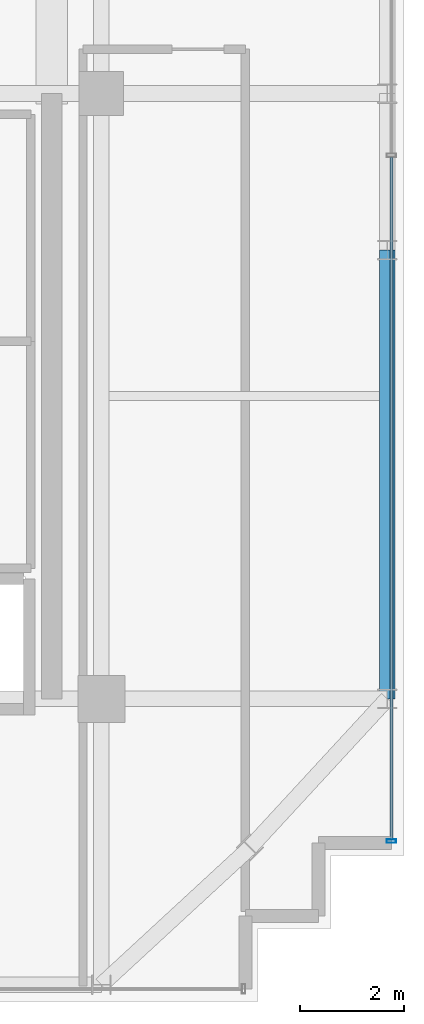
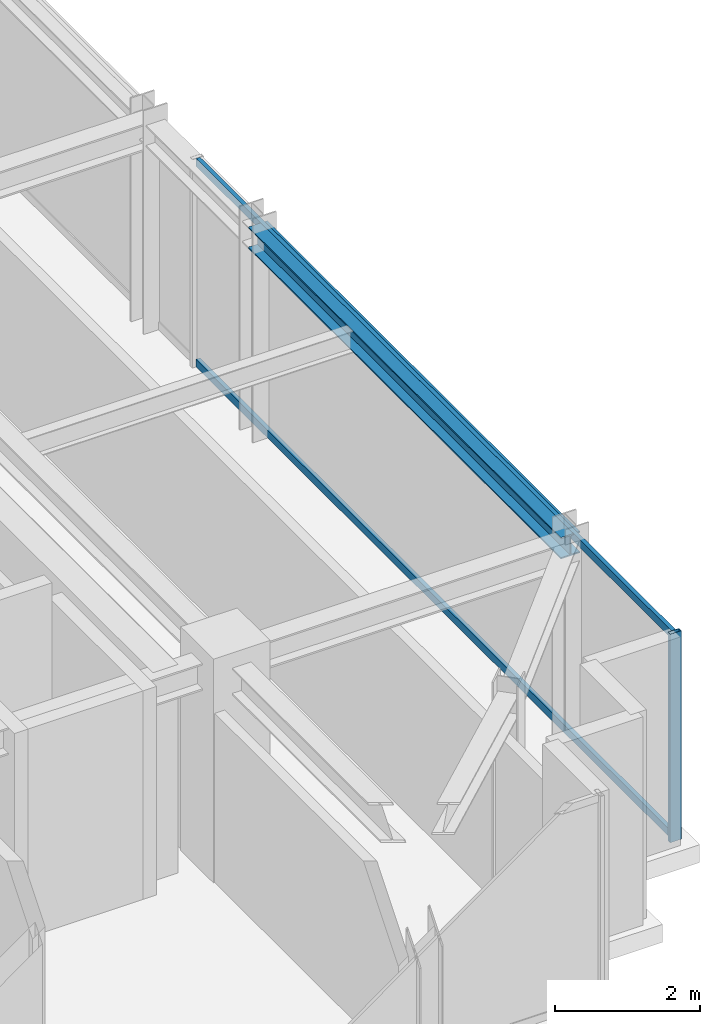
# One storey, part 14 of 31: 3 members, 1 beam, 1 element without a shape of its own.
"""IFC4 building model written with IfcOpenShell, lengths in metres."""

import ifcopenshell
import ifcopenshell.guid

model = None  # the IFC model being written
_history = None  # IfcOwnerHistory: only IFC2X3 demands one
_inside = {}  # id of a spatial element -> (the spatial element, [elements in it])
_under = {}  # id of a project, library or spatial element -> (it, [spatial elements below it])
_declared = {}  # id of a project -> (the project, [libraries it declares])
_typed = {}  # id of a type object -> (the type object, [elements of that type])
_made_of = {}  # id of a material, layer set ... -> (it, [elements and type objects made of it])


def new_model(schema):
    """Start an empty IFC model of exactly this schema.

    Asked for "IFC4X3", IfcOpenShell would pick the latest addendum, in which some entities
    have other attributes; the version numbers below select the first issue.
    IFC2X3 requires an IfcOwnerHistory on every rooted entity: one is made here for all.
    """
    global model, _history
    if schema == "IFC4X3":
        model = ifcopenshell.file(schema_version=(4, 3, 0, 0))
    else:
        model = ifcopenshell.file(schema=schema)
    _inside.clear()
    _under.clear()
    _declared.clear()
    _typed.clear()
    _made_of.clear()
    _history = None
    if model.schema == "IFC2X3":
        org = make("IfcOrganization", Name="unknown")
        user = make(
            "IfcPersonAndOrganization",
            ThePerson=make("IfcPerson", FamilyName="unknown"),
            TheOrganization=org,
        )
        app = make(
            "IfcApplication",
            ApplicationDeveloper=org,
            Version="unknown",
            ApplicationFullName="unknown",
            ApplicationIdentifier="unknown",
        )
        _history = make(
            "IfcOwnerHistory",
            OwningUser=user,
            OwningApplication=app,
            ChangeAction="ADDED",
            CreationDate=0,
        )
    return model


def make(cls, **values):
    """One entity of the class cls with the attributes given. An attribute that is None is left unset."""
    return model.create_entity(
        cls, **{name: value for name, value in values.items() if value is not None}
    )


def rooted(cls, **values):
    """An entity with a GlobalId (a new one), such as an element, a storey or a relation."""
    return make(cls, GlobalId=ifcopenshell.guid.new(), OwnerHistory=_history, **values)


def si_unit(unit_type, name, prefix=None):
    """IfcSIUnit, for example si_unit("LENGTHUNIT", "METRE", prefix="MILLI")."""
    return make("IfcSIUnit", UnitType=unit_type, Prefix=prefix, Name=name)


def assignment(units):
    """IfcUnitAssignment: the units of a project."""
    return None if units is None else make("IfcUnitAssignment", Units=units)


def point(xyz):
    """IfcCartesianPoint."""
    return None if xyz is None else make("IfcCartesianPoint", Coordinates=xyz)


def direction(xyz):
    """IfcDirection."""
    return None if xyz is None else make("IfcDirection", DirectionRatios=xyz)


def frame(location, z_axis=None, x_axis=None):
    """IfcAxis2Placement3D, a coordinate frame: its origin and axes. An axis left out is left unset."""
    return make(
        "IfcAxis2Placement3D",
        Location=point(location),
        Axis=direction(z_axis),
        RefDirection=direction(x_axis),
    )


def frame_2d(location, x_axis=None):
    """IfcAxis2Placement2D, a coordinate frame in the plane: its origin and x axis."""
    return make(
        "IfcAxis2Placement2D", Location=point(location), RefDirection=direction(x_axis)
    )


def origin():
    """The frame at (0, 0, 0) with its axes left unset."""
    return frame((0.0, 0.0, 0.0))


def origin_2d():
    """The frame at (0, 0) in the plane with its x axis left unset."""
    return frame_2d((0.0, 0.0))


def place(relative_to, where):
    """IfcLocalPlacement: puts the frame where relative to a parent placement (None: the world)."""
    return make(
        "IfcLocalPlacement", PlacementRelTo=relative_to, RelativePlacement=where
    )


def context(
    kind, dimensions, precision=None, world=None, true_north=None, identifier=None
):
    """IfcGeometricRepresentationContext, for example the 3D "Model" context."""
    return make(
        "IfcGeometricRepresentationContext",
        ContextIdentifier=identifier,
        ContextType=kind,
        CoordinateSpaceDimension=dimensions,
        Precision=precision,
        WorldCoordinateSystem=world,
        TrueNorth=true_north,
    )


def subcontext(parent, identifier, kind, view, scale=None):
    """IfcGeometricRepresentationSubContext, for example "Body" below "Model"."""
    return make(
        "IfcGeometricRepresentationSubContext",
        ContextIdentifier=identifier,
        ContextType=kind,
        ParentContext=parent,
        TargetScale=scale,
        TargetView=view,
    )


def project(units=None, contexts=None):
    """IfcProject with its units and contexts."""
    return rooted(
        "IfcProject",
        Name="project",
        RepresentationContexts=contexts,
        UnitsInContext=assignment(units),
    )


def spatial(cls, under=None, at=None, **own):
    """A site, building, storey or space (cls), placed at a placement, below another one or the project."""
    s = rooted(cls, ObjectPlacement=at, **own)
    if under is not None:
        _under.setdefault(under.id(), (under, []))[1].append(s)
    return s


def profile(cls, at=None, kind="AREA", **sizes):
    """A parametric profile (cls). Its sizes go by their IFC names, for example OverallWidth=200.0."""
    return make(cls, ProfileType=kind, Position=at, **sizes)


def hollow_rectangle(**sizes):
    """IfcRectangleHollowProfileDef."""
    return profile("IfcRectangleHollowProfileDef", **sizes)


def i_section(**sizes):
    """IfcIShapeProfileDef."""
    return profile("IfcIShapeProfileDef", **sizes)


def extrude(swept, where, along, depth):
    """IfcExtrudedAreaSolid: the profile swept, set in the frame where, extruded along a direction by depth."""
    return make(
        "IfcExtrudedAreaSolid",
        SweptArea=swept,
        Position=where,
        ExtrudedDirection=direction(along),
        Depth=depth,
    )


def shape(context_of_items, identifier, shape_type, items):
    """IfcShapeRepresentation: the items that make up one representation, for example the "Body"."""
    return make(
        "IfcShapeRepresentation",
        ContextOfItems=context_of_items,
        RepresentationIdentifier=identifier,
        RepresentationType=shape_type,
        Items=items,
    )


def source(mapping_origin, context_of_items, identifier, shape_type, items):
    """IfcRepresentationMap: a shape defined once, which mapped items show again and again."""
    return make(
        "IfcRepresentationMap",
        MappingOrigin=mapping_origin,
        MappedRepresentation=shape(context_of_items, identifier, shape_type, items),
    )


def transform(
    local_origin,
    x_axis=None,
    y_axis=None,
    z_axis=None,
    scale=None,
    scale2=None,
    scale3=None,
    uniform=True,
):
    """IfcCartesianTransformationOperator3D, or its non-uniform kind. x_axis, y_axis, z_axis: its Axis1, 2, 3."""
    if uniform:
        return make(
            "IfcCartesianTransformationOperator3D",
            Axis1=direction(x_axis),
            Axis2=direction(y_axis),
            LocalOrigin=point(local_origin),
            Scale=scale,
            Axis3=direction(z_axis),
        )
    return make(
        "IfcCartesianTransformationOperator3DnonUniform",
        Axis1=direction(x_axis),
        Axis2=direction(y_axis),
        LocalOrigin=point(local_origin),
        Scale=scale,
        Axis3=direction(z_axis),
        Scale2=scale2,
        Scale3=scale3,
    )


def mapped(mapping_source, mapping_target):
    """IfcMappedItem: shows the shape of a source again, moved by a transform."""
    return make(
        "IfcMappedItem", MappingSource=mapping_source, MappingTarget=mapping_target
    )


def material(Name=None, Category=None):
    """IfcMaterial."""
    return make("IfcMaterial", Name=Name, Category=Category)


def material_profile(
    of_material, cross_section, Name=None, Category=None, Priority=None
):
    """IfcMaterialProfile: a cross section and its material."""
    return make(
        "IfcMaterialProfile",
        Name=Name,
        Material=of_material,
        Profile=cross_section,
        Priority=Priority,
        Category=Category,
    )


def profile_set(profiles, Name=None, composite=None):
    """IfcMaterialProfileSet."""
    return make(
        "IfcMaterialProfileSet",
        Name=Name,
        MaterialProfiles=profiles,
        CompositeProfile=composite,
    )


def made_of(thing, what):
    """Note that an element or type object is made of a material, layer set ...; save() writes the relation."""
    if what is not None:
        _made_of.setdefault(what.id(), (what, []))[1].append(thing)
    return thing


def type_object(cls, material=None, **own):
    """A type object (cls), such as IfcWallType, which elements share."""
    return made_of(rooted(cls, **own), material)


def element(
    cls,
    number,
    at=None,
    inside=None,
    cuts=None,
    type_object=None,
    material=None,
    context=None,
    identifier="Body",
    shape_type=None,
    held_by="IfcProductDefinitionShape",
    body=None,
    shapes=None,
    **own,
):
    """One element of the class cls, such as IfcWall. Its Tag is "e" and its number.

    at: its placement. inside: the storey or other place that contains it. cuts: it is an
    opening in that element (IfcRelVoidsElement). A single representation is given by context,
    identifier, shape_type and body (its items); several are given by shapes. held_by: the class
    of the entity that holds the representations. save() writes the other relations.
    """
    e = rooted(cls, Tag="e%d" % number, ObjectPlacement=at, **own)
    if body is not None:
        shapes = [shape(context, identifier, shape_type, body)]
    if shapes is not None:
        e.Representation = make(held_by, Representations=shapes)
    if inside is not None:
        _inside.setdefault(inside.id(), (inside, []))[1].append(e)
    if cuts is not None:
        rooted(
            "IfcRelVoidsElement", RelatingBuildingElement=cuts, RelatedOpeningElement=e
        )
    if type_object is not None:
        _typed.setdefault(type_object.id(), (type_object, []))[1].append(e)
    return made_of(e, material)


def aggregate(whole, parts):
    """IfcRelAggregates: a whole, such as a stair, and the parts it consists of."""
    return rooted("IfcRelAggregates", RelatingObject=whole, RelatedObjects=parts)


def save(model, path):
    """Write the relations noted so far, then the file.

    IfcRelAggregates (storeys below a building ...), IfcRelContainedInSpatialStructure (elements
    in a storey), IfcRelDefinesByType, IfcRelAssociatesMaterial and IfcRelDeclares: one each for
    every whole, place, type object, material and project.
    """
    for whole, parts in _under.values():
        aggregate(whole, parts)
    for where, things in _inside.values():
        rooted(
            "IfcRelContainedInSpatialStructure",
            RelatedElements=things,
            RelatingStructure=where,
        )
    for kind, things in _typed.values():
        rooted("IfcRelDefinesByType", RelatedObjects=things, RelatingType=kind)
    for what, things in _made_of.values():
        rooted("IfcRelAssociatesMaterial", RelatedObjects=things, RelatingMaterial=what)
    for by, libraries in _declared.values():
        rooted("IfcRelDeclares", RelatingContext=by, RelatedDefinitions=libraries)
    model.write(path)


model = new_model("IFC4")

# Units and contexts
model_context = context("Model", 3, precision=1e-05, world=origin(), true_north=direction((0.0, 1.0)))
body_context = subcontext(model_context, "Body", "Model", "MODEL_VIEW")
ifc_project = project(units=[si_unit("LENGTHUNIT", "METRE"), si_unit("AREAUNIT", "SQUARE_METRE"), si_unit("VOLUMEUNIT", "CUBIC_METRE"), si_unit("PLANEANGLEUNIT", "RADIAN"), si_unit("MASSUNIT", "GRAM", prefix="KILO")], contexts=[model_context])

# Site, building, storey
site_placement = place(None, origin())
site = spatial("IfcSite", under=ifc_project, at=site_placement, CompositionType="ELEMENT")
building_placement = place(site_placement, origin())
building = spatial("IfcBuilding", under=site, at=building_placement, Name="Nahalor Promenade Grand Hotel", CompositionType="ELEMENT")
storey_placement = place(building_placement, frame((0.0, 0.0, 323.35009765625)))
storey = spatial("IfcBuildingStorey", under=building, at=storey_placement, Name="L83", CompositionType="ELEMENT", Elevation=323.35009765625)

# Beam
ifc_material_1 = material(Name="Steel S355JR", Category="steel")
ifc_material_profile_1 = material_profile(ifc_material_1, i_section(OverallWidth=0.3, OverallDepth=0.36, WebThickness=0.0125, FlangeThickness=0.0225, at=origin_2d()), Name="HEB 360")
ifc_profile_set_1 = profile_set([ifc_material_profile_1], Name="Steel S355JR")
beam_type = type_object("IfcBeamType", Name="Beam-Spandrel-HEB360", PredefinedType="SPANDREL", material=ifc_profile_set_1)
shared_shape_1 = source(origin(), body_context, "Body", "SweptSolid", [
    extrude(i_section(OverallWidth=0.3, OverallDepth=0.36, WebThickness=0.0125, FlangeThickness=0.0225, at=origin_2d()), origin(), (0.0, 0.0, 1.0), 8.60009765625),
])
beam_placement = place(storey_placement, frame((22.47998046875, -17.0, 3.31982421875), z_axis=(0.0, 1.0, 0.0), x_axis=(-1.0, 0.0, 0.0)))
element("IfcBeam", 1, at=beam_placement, inside=storey, type_object=beam_type, Name="BM-L83-SP-E-0", PredefinedType="SPANDREL", context=body_context, shape_type="MappedRepresentation", body=[
    mapped(shared_shape_1, transform((0.0, 0.0, 0.0), scale=1.0)),
])

# Curtain wall, members
ifc_material_2 = material(Name="Anodised Bronze Aluminium EN AW-6063 T6", Category="aluminium")
curtain_wall_type = type_object("IfcCurtainWallType", Name="CW2 Typical Hotel Flush Bronze Unitised Curtain Wall", PredefinedType="USERDEFINED", material=ifc_material_2)
curtain_wall_placement = place(storey_placement, origin())
curtain_wall = element("IfcCurtainWall", 2, at=curtain_wall_placement, inside=storey, type_object=curtain_wall_type, Name="L83 Curtain Wall CW-L83-E-1", ObjectType="UNITISED_CURTAIN_WALL", PredefinedType="USERDEFINED")
ifc_material_profile_2 = material_profile(ifc_material_2, hollow_rectangle(XDim=0.065, YDim=0.13, WallThickness=0.004, at=origin_2d()), Name="CWT 65x130x4")
ifc_profile_set_2 = profile_set([ifc_material_profile_2], Name="Anodised Bronze Aluminium EN AW-6063 T6")
member_type_1 = type_object("IfcMemberType", Name="CWT2 Typical Bronze Transom 65x130", PredefinedType="USERDEFINED", material=ifc_profile_set_2)
shared_shape_2 = source(origin(), body_context, "Body", "SweptSolid", [
    extrude(hollow_rectangle(XDim=0.065, YDim=0.13, WallThickness=0.004, at=origin_2d()), origin(), (0.0, 0.0, 1.0), 13.075927734375),
])
member_1_placement = place(storey_placement, frame((22.56005859375, -19.695068359375, 0.06494140625), z_axis=(0.0, 1.0, 0.0), x_axis=(-1.0, 0.0, 0.0)))
member_1 = element("IfcMember", 3, at=member_1_placement, type_object=member_type_1, Name="CW-L83-E-1 Transom 0-0", ObjectType="TRANSOM", PredefinedType="USERDEFINED", context=body_context, shape_type="MappedRepresentation", body=[
    mapped(shared_shape_2, transform((0.0, 0.0, 0.0), scale=1.0)),
])
member_2_placement = place(storey_placement, frame((22.56005859375, -19.695068359375, 3.434814453125), z_axis=(0.0, 1.0, 0.0), x_axis=(-1.0, 0.0, 0.0)))
member_2 = element("IfcMember", 4, at=member_2_placement, type_object=member_type_1, Name="CW-L83-E-1 Transom 0-1", ObjectType="TRANSOM", PredefinedType="USERDEFINED", context=body_context, shape_type="MappedRepresentation", body=[
    mapped(shared_shape_2, transform((0.0, 0.0, 0.0), scale=1.0)),
])
ifc_material_profile_3 = material_profile(ifc_material_2, hollow_rectangle(XDim=0.065, YDim=0.18, WallThickness=0.004, at=origin_2d()), Name="CWM 65x180x4")
ifc_profile_set_3 = profile_set([ifc_material_profile_3], Name="Anodised Bronze Aluminium EN AW-6063 T6")
member_type_2 = type_object("IfcMemberType", Name="CWM2 Typical Bronze Mullion 65x180", PredefinedType="MULLION", material=ifc_profile_set_3)
shared_shape_3 = source(origin(), body_context, "Body", "SweptSolid", [
    extrude(hollow_rectangle(XDim=0.065, YDim=0.18, WallThickness=0.004, at=origin_2d()), origin(), (0.0, 0.0, 1.0), 3.5),
])
member_3_placement = place(storey_placement, frame((22.56005859375, -19.7275390625, 0.0), z_axis=(0.0, 0.0, 1.0), x_axis=(0.0, 1.0, 0.0)))
member_3 = element("IfcMember", 5, at=member_3_placement, type_object=member_type_2, Name="CW-L83-E-1 Mullion 0", PredefinedType="MULLION", context=body_context, shape_type="MappedRepresentation", body=[
    mapped(shared_shape_3, transform((0.0, 0.0, 0.0), scale=1.0)),
])
aggregate(curtain_wall, [member_3, member_1, member_2])

save(model, "model.ifc")
